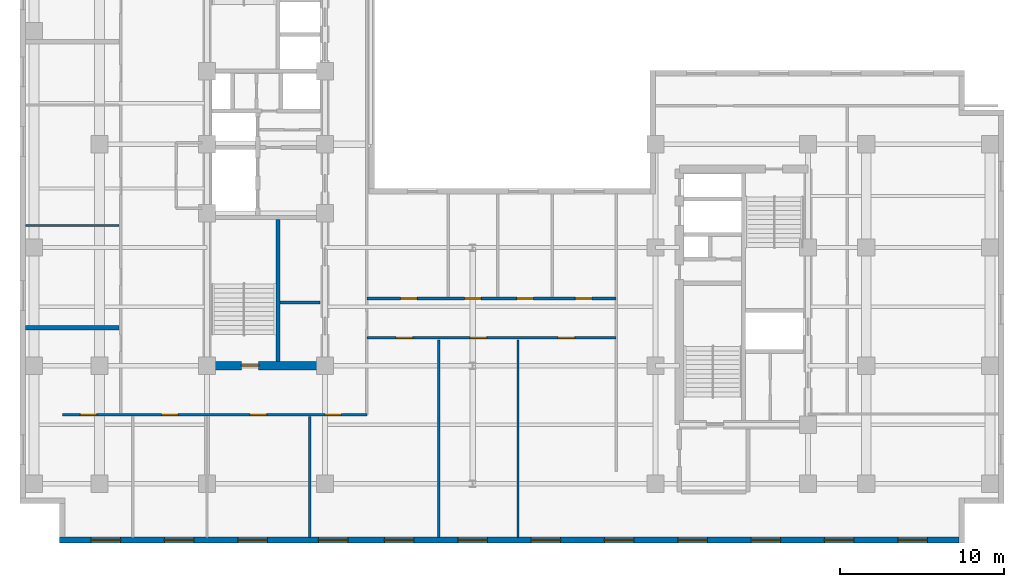
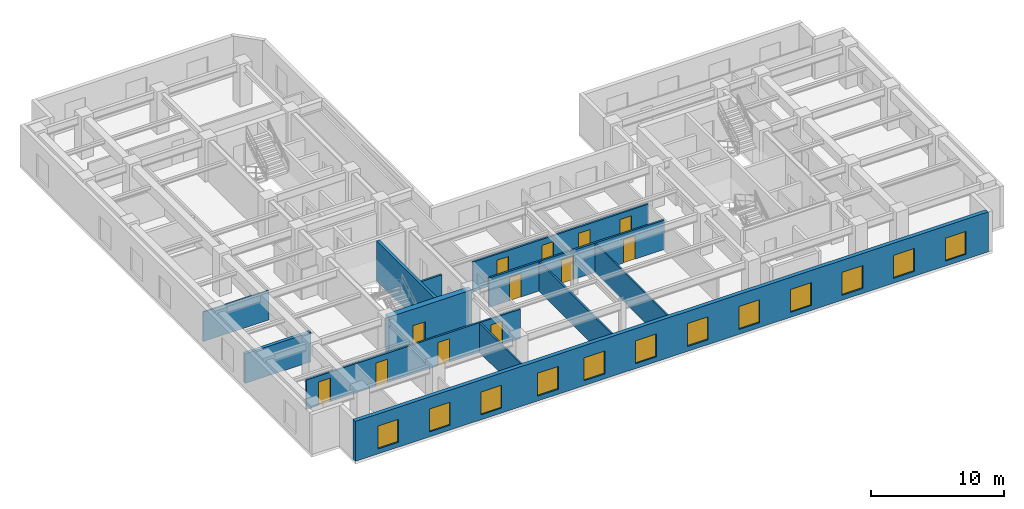
# One storey, part 3 of 10: 12 doors, 12 walls, 12 windows, 24 openings.
"""IFC4 building model written with IfcOpenShell, lengths in metres."""

from ifc_helpers import new_model, entity, si_unit, converted_unit, direction, frame, origin_with_axes, origin_2d_with_axis, place, context, subcontext, project, spatial, polyline, rectangle, outline, extrude, material, layer, layer_set, type_object, element, fill, save


model = new_model("IFC4")

# Units and contexts
model_context = context("Model", 3, precision=1e-05, world=origin_with_axes(), true_north=direction((0.0, 1.0)))
body_context = subcontext(model_context, "Body", "Model", "MODEL_VIEW")
ifc_project = project(units=[si_unit("LENGTHUNIT", "METRE"), si_unit("AREAUNIT", "SQUARE_METRE"), si_unit("VOLUMEUNIT", "CUBIC_METRE"), converted_unit("PLANEANGLEUNIT", "DEGREE", entity("IfcPlaneAngleMeasure", 0.017453292519943295), si_unit("PLANEANGLEUNIT", "RADIAN"), dimensions=[0, 0, 0, 0, 0, 0, 0]), si_unit("MASSUNIT", "GRAM", prefix="KILO"), si_unit("THERMODYNAMICTEMPERATUREUNIT", "KELVIN")], contexts=[model_context])

# Site, building, storey
site_placement = place(None, origin_with_axes())
site = spatial("IfcSite", under=ifc_project, at=site_placement, CompositionType="ELEMENT")
building_placement = place(site_placement, origin_with_axes())
building = spatial("IfcBuilding", under=site, at=building_placement, Name="Varnlund Millrace Tower", CompositionType="ELEMENT")
storey_placement = place(building_placement, frame((0.0, 0.0, 129.0), z_axis=(0.0, 0.0, 1.0), x_axis=(1.0, 0.0, 0.0)))
storey = spatial("IfcBuildingStorey", under=building, at=storey_placement, Name="L31", CompositionType="ELEMENT", Elevation=129.0)

# Wall, opening, door
ifc_material_1 = material(Name="Concrete C70/85", Category="concrete")
ifc_layer_1 = layer(ifc_material_1, 0.5, Name="Concrete C70/85")
ifc_layer_set_1 = layer_set([ifc_layer_1], Name="Concrete C70/85")
wall_type_1 = type_object("IfcWallType", Name="Type-CoreWall-Shear-500-C70", PredefinedType="SHEAR", material=ifc_layer_set_1)
wall_1_placement = place(storey_placement, frame((11.4, 10.8, 0.0), z_axis=(0.0, 0.0, 1.0), x_axis=(1.0, 0.0, 0.0)))
wall_1 = element("IfcWall", 1, at=wall_1_placement, inside=storey, type_object=wall_type_1, Name="Type-CoreWall-Shear-500-C70", PredefinedType="SHEAR", context=body_context, shape_type="SweptSolid", body=[
    extrude(outline(polyline([(0.0, -0.25), (7.2, -0.25), (7.2, 0.25), (0.0, 0.25), (0.0, -0.25)])), origin_with_axes(), (0.0, 0.0, 1.0), 3.66),
])
opening_1_placement = place(wall_1_placement, frame((2.625, 0.0, 0.0), z_axis=(0.0, 0.0, 1.0), x_axis=(1.0, 0.0, 0.0)))
opening_1 = element("IfcOpeningElement", 2, at=opening_1_placement, cuts=wall_1, Name="Opening L31:DR-STA1", PredefinedType="OPENING", context=body_context, shape_type="SweptSolid", body=[
    extrude(rectangle(XDim=1.05, YDim=0.52, at=origin_2d_with_axis()), origin_with_axes(), (0.0, 0.0, 1.0), 2.15),
])
ifc_material_2 = material(Name="Fire-rated hollow steel door", Category="steel")
door_type_1 = type_object("IfcDoorType", Name="Type-FireDoor-Stair-1050X2150", OperationType="NOTDEFINED", PredefinedType="DOOR", material=ifc_material_2)
door_1_placement = place(wall_1_placement, frame((2.625, 0.0, 0.0), z_axis=(0.0, 0.0, 1.0), x_axis=(1.0, 0.0, 0.0)))
door_1 = element("IfcDoor", 3, at=door_1_placement, inside=storey, type_object=door_type_1, Name="Type-FireDoor-Stair-1050X2150", OperationType="SINGLE_SWING_LEFT", OverallHeight=2.15, OverallWidth=1.05, PredefinedType="DOOR", context=body_context, shape_type="SweptSolid", body=[
    extrude(rectangle(XDim=1.05, YDim=0.09, at=origin_2d_with_axis()), origin_with_axes(), (0.0, 0.0, 1.0), 2.15),
])
fill(opening_1, door_1)

# Wall, openings, windows
ifc_material_3 = material(Name="Precast concrete C50/60", Category="concrete")
ifc_layer_2 = layer(ifc_material_3, 0.34, Name="Precast concrete C50/60")
ifc_layer_set_2 = layer_set([ifc_layer_2], Name="Precast concrete C50/60")
wall_type_2 = type_object("IfcWallType", Name="Type-ExtWall-Precast-Upper-340", PredefinedType="SOLIDWALL", material=ifc_layer_set_2)
wall_2_placement = place(storey_placement, frame((57.26, 0.17, 0.0), z_axis=(0.0, 0.0, 1.0), x_axis=(-1.0, 0.0, 0.0)))
wall_2 = element("IfcWall", 4, at=wall_2_placement, inside=storey, type_object=wall_type_2, Name="Type-ExtWall-Precast-Upper-340", PredefinedType="SOLIDWALL", context=body_context, shape_type="SweptSolid", body=[
    extrude(outline(polyline([(0.0, -0.17), (54.86, -0.17), (54.86, 0.17), (0.0, 0.17), (0.0, -0.17)])), origin_with_axes(), (0.0, 0.0, 1.0), 3.66),
])
opening_2_placement = place(wall_2_placement, frame((2.836, 0.0, 0.45), z_axis=(0.0, 0.0, 1.0), x_axis=(1.0, 0.0, 0.0)))
opening_2 = element("IfcOpeningElement", 5, at=opening_2_placement, cuts=wall_2, Name="Opening L31:WN-08", PredefinedType="OPENING", context=body_context, shape_type="SweptSolid", body=[
    extrude(rectangle(XDim=1.8, YDim=0.36, at=origin_2d_with_axis()), origin_with_axes(), (0.0, 0.0, 1.0), 2.1),
])
opening_3_placement = place(wall_2_placement, frame((7.307, 0.0, 0.45), z_axis=(0.0, 0.0, 1.0), x_axis=(1.0, 0.0, 0.0)))
opening_3 = element("IfcOpeningElement", 6, at=opening_3_placement, cuts=wall_2, Name="Opening L31:WN-09", PredefinedType="OPENING", context=body_context, shape_type="SweptSolid", body=[
    extrude(rectangle(XDim=1.8, YDim=0.36, at=origin_2d_with_axis()), origin_with_axes(), (0.0, 0.0, 1.0), 2.1),
])
opening_4_placement = place(wall_2_placement, frame((11.779, 0.0, 0.45), z_axis=(0.0, 0.0, 1.0), x_axis=(1.0, 0.0, 0.0)))
opening_4 = element("IfcOpeningElement", 7, at=opening_4_placement, cuts=wall_2, Name="Opening L31:WN-10", PredefinedType="OPENING", context=body_context, shape_type="SweptSolid", body=[
    extrude(rectangle(XDim=1.8, YDim=0.36, at=origin_2d_with_axis()), origin_with_axes(), (0.0, 0.0, 1.0), 2.1),
])
opening_5_placement = place(wall_2_placement, frame((16.251, 0.0, 0.45), z_axis=(0.0, 0.0, 1.0), x_axis=(1.0, 0.0, 0.0)))
opening_5 = element("IfcOpeningElement", 8, at=opening_5_placement, cuts=wall_2, Name="Opening L31:WN-11", PredefinedType="OPENING", context=body_context, shape_type="SweptSolid", body=[
    extrude(rectangle(XDim=1.8, YDim=0.36, at=origin_2d_with_axis()), origin_with_axes(), (0.0, 0.0, 1.0), 2.1),
])
opening_6_placement = place(wall_2_placement, frame((20.723, 0.0, 0.45), z_axis=(0.0, 0.0, 1.0), x_axis=(1.0, 0.0, 0.0)))
opening_6 = element("IfcOpeningElement", 9, at=opening_6_placement, cuts=wall_2, Name="Opening L31:WN-12", PredefinedType="OPENING", context=body_context, shape_type="SweptSolid", body=[
    extrude(rectangle(XDim=1.8, YDim=0.36, at=origin_2d_with_axis()), origin_with_axes(), (0.0, 0.0, 1.0), 2.1),
])
opening_7_placement = place(wall_2_placement, frame((25.194, 0.0, 0.45), z_axis=(0.0, 0.0, 1.0), x_axis=(1.0, 0.0, 0.0)))
opening_7 = element("IfcOpeningElement", 10, at=opening_7_placement, cuts=wall_2, Name="Opening L31:WN-13", PredefinedType="OPENING", context=body_context, shape_type="SweptSolid", body=[
    extrude(rectangle(XDim=1.8, YDim=0.36, at=origin_2d_with_axis()), origin_with_axes(), (0.0, 0.0, 1.0), 2.1),
])
opening_8_placement = place(wall_2_placement, frame((29.666, 0.0, 0.45), z_axis=(0.0, 0.0, 1.0), x_axis=(1.0, 0.0, 0.0)))
opening_8 = element("IfcOpeningElement", 11, at=opening_8_placement, cuts=wall_2, Name="Opening L31:WN-14", PredefinedType="OPENING", context=body_context, shape_type="SweptSolid", body=[
    extrude(rectangle(XDim=1.8, YDim=0.36, at=origin_2d_with_axis()), origin_with_axes(), (0.0, 0.0, 1.0), 2.1),
])
opening_9_placement = place(wall_2_placement, frame((34.138, 0.0, 0.45), z_axis=(0.0, 0.0, 1.0), x_axis=(1.0, 0.0, 0.0)))
opening_9 = element("IfcOpeningElement", 12, at=opening_9_placement, cuts=wall_2, Name="Opening L31:WN-15", PredefinedType="OPENING", context=body_context, shape_type="SweptSolid", body=[
    extrude(rectangle(XDim=1.8, YDim=0.36, at=origin_2d_with_axis()), origin_with_axes(), (0.0, 0.0, 1.0), 2.1),
])
opening_10_placement = place(wall_2_placement, frame((38.159, 0.0, 0.45), z_axis=(0.0, 0.0, 1.0), x_axis=(1.0, 0.0, 0.0)))
opening_10 = element("IfcOpeningElement", 13, at=opening_10_placement, cuts=wall_2, Name="Opening L31:WN-16", PredefinedType="OPENING", context=body_context, shape_type="SweptSolid", body=[
    extrude(rectangle(XDim=1.8, YDim=0.36, at=origin_2d_with_axis()), origin_with_axes(), (0.0, 0.0, 1.0), 2.1),
])
opening_11_placement = place(wall_2_placement, frame((43.081, 0.0, 0.45), z_axis=(0.0, 0.0, 1.0), x_axis=(1.0, 0.0, 0.0)))
opening_11 = element("IfcOpeningElement", 14, at=opening_11_placement, cuts=wall_2, Name="Opening L31:WN-17", PredefinedType="OPENING", context=body_context, shape_type="SweptSolid", body=[
    extrude(rectangle(XDim=1.8, YDim=0.36, at=origin_2d_with_axis()), origin_with_axes(), (0.0, 0.0, 1.0), 2.1),
])
opening_12_placement = place(wall_2_placement, frame((47.553, 0.0, 0.45), z_axis=(0.0, 0.0, 1.0), x_axis=(1.0, 0.0, 0.0)))
opening_12 = element("IfcOpeningElement", 15, at=opening_12_placement, cuts=wall_2, Name="Opening L31:WN-18", PredefinedType="OPENING", context=body_context, shape_type="SweptSolid", body=[
    extrude(rectangle(XDim=1.8, YDim=0.36, at=origin_2d_with_axis()), origin_with_axes(), (0.0, 0.0, 1.0), 2.1),
])
opening_13_placement = place(wall_2_placement, frame((52.024, 0.0, 0.45), z_axis=(0.0, 0.0, 1.0), x_axis=(1.0, 0.0, 0.0)))
opening_13 = element("IfcOpeningElement", 16, at=opening_13_placement, cuts=wall_2, Name="Opening L31:WN-19", PredefinedType="OPENING", context=body_context, shape_type="SweptSolid", body=[
    extrude(rectangle(XDim=1.8, YDim=0.36, at=origin_2d_with_axis()), origin_with_axes(), (0.0, 0.0, 1.0), 2.1),
])
ifc_material_4 = material(Name="Argon low-e triple glazing in thermally broken bronze frame", Category="glass")
window_type = type_object("IfcWindowType", Name="Type-Window-Punched-1800X2100", PartitioningType="SINGLE_PANEL", PredefinedType="WINDOW", material=ifc_material_4)
window_1_placement = place(wall_2_placement, frame((2.836, 0.0, 0.45), z_axis=(0.0, 0.0, 1.0), x_axis=(1.0, 0.0, 0.0)))
window_1 = element("IfcWindow", 17, at=window_1_placement, inside=storey, type_object=window_type, Name="Type-Window-Punched-1800X2100", OverallHeight=2.1, OverallWidth=1.8, PredefinedType="WINDOW", context=body_context, shape_type="SweptSolid", body=[
    extrude(rectangle(XDim=1.8, YDim=0.09, at=origin_2d_with_axis()), origin_with_axes(), (0.0, 0.0, 1.0), 2.1),
])
fill(opening_2, window_1)
window_2_placement = place(wall_2_placement, frame((7.307, 0.0, 0.45), z_axis=(0.0, 0.0, 1.0), x_axis=(1.0, 0.0, 0.0)))
window_2 = element("IfcWindow", 18, at=window_2_placement, inside=storey, type_object=window_type, Name="Type-Window-Punched-1800X2100", OverallHeight=2.1, OverallWidth=1.8, PredefinedType="WINDOW", context=body_context, shape_type="SweptSolid", body=[
    extrude(rectangle(XDim=1.8, YDim=0.09, at=origin_2d_with_axis()), origin_with_axes(), (0.0, 0.0, 1.0), 2.1),
])
fill(opening_3, window_2)
window_3_placement = place(wall_2_placement, frame((11.779, 0.0, 0.45), z_axis=(0.0, 0.0, 1.0), x_axis=(1.0, 0.0, 0.0)))
window_3 = element("IfcWindow", 19, at=window_3_placement, inside=storey, type_object=window_type, Name="Type-Window-Punched-1800X2100", OverallHeight=2.1, OverallWidth=1.8, PredefinedType="WINDOW", context=body_context, shape_type="SweptSolid", body=[
    extrude(rectangle(XDim=1.8, YDim=0.09, at=origin_2d_with_axis()), origin_with_axes(), (0.0, 0.0, 1.0), 2.1),
])
fill(opening_4, window_3)
window_4_placement = place(wall_2_placement, frame((16.251, 0.0, 0.45), z_axis=(0.0, 0.0, 1.0), x_axis=(1.0, 0.0, 0.0)))
window_4 = element("IfcWindow", 20, at=window_4_placement, inside=storey, type_object=window_type, Name="Type-Window-Punched-1800X2100", OverallHeight=2.1, OverallWidth=1.8, PredefinedType="WINDOW", context=body_context, shape_type="SweptSolid", body=[
    extrude(rectangle(XDim=1.8, YDim=0.09, at=origin_2d_with_axis()), origin_with_axes(), (0.0, 0.0, 1.0), 2.1),
])
fill(opening_5, window_4)
window_5_placement = place(wall_2_placement, frame((20.723, 0.0, 0.45), z_axis=(0.0, 0.0, 1.0), x_axis=(1.0, 0.0, 0.0)))
window_5 = element("IfcWindow", 21, at=window_5_placement, inside=storey, type_object=window_type, Name="Type-Window-Punched-1800X2100", OverallHeight=2.1, OverallWidth=1.8, PredefinedType="WINDOW", context=body_context, shape_type="SweptSolid", body=[
    extrude(rectangle(XDim=1.8, YDim=0.09, at=origin_2d_with_axis()), origin_with_axes(), (0.0, 0.0, 1.0), 2.1),
])
fill(opening_6, window_5)
window_6_placement = place(wall_2_placement, frame((25.194, 0.0, 0.45), z_axis=(0.0, 0.0, 1.0), x_axis=(1.0, 0.0, 0.0)))
window_6 = element("IfcWindow", 22, at=window_6_placement, inside=storey, type_object=window_type, Name="Type-Window-Punched-1800X2100", OverallHeight=2.1, OverallWidth=1.8, PredefinedType="WINDOW", context=body_context, shape_type="SweptSolid", body=[
    extrude(rectangle(XDim=1.8, YDim=0.09, at=origin_2d_with_axis()), origin_with_axes(), (0.0, 0.0, 1.0), 2.1),
])
fill(opening_7, window_6)
window_7_placement = place(wall_2_placement, frame((29.666, 0.0, 0.45), z_axis=(0.0, 0.0, 1.0), x_axis=(1.0, 0.0, 0.0)))
window_7 = element("IfcWindow", 23, at=window_7_placement, inside=storey, type_object=window_type, Name="Type-Window-Punched-1800X2100", OverallHeight=2.1, OverallWidth=1.8, PredefinedType="WINDOW", context=body_context, shape_type="SweptSolid", body=[
    extrude(rectangle(XDim=1.8, YDim=0.09, at=origin_2d_with_axis()), origin_with_axes(), (0.0, 0.0, 1.0), 2.1),
])
fill(opening_8, window_7)
window_8_placement = place(wall_2_placement, frame((34.138, 0.0, 0.45), z_axis=(0.0, 0.0, 1.0), x_axis=(1.0, 0.0, 0.0)))
window_8 = element("IfcWindow", 24, at=window_8_placement, inside=storey, type_object=window_type, Name="Type-Window-Punched-1800X2100", OverallHeight=2.1, OverallWidth=1.8, PredefinedType="WINDOW", context=body_context, shape_type="SweptSolid", body=[
    extrude(rectangle(XDim=1.8, YDim=0.09, at=origin_2d_with_axis()), origin_with_axes(), (0.0, 0.0, 1.0), 2.1),
])
fill(opening_9, window_8)
window_9_placement = place(wall_2_placement, frame((38.159, 0.0, 0.45), z_axis=(0.0, 0.0, 1.0), x_axis=(1.0, 0.0, 0.0)))
window_9 = element("IfcWindow", 25, at=window_9_placement, inside=storey, type_object=window_type, Name="Type-Window-Punched-1800X2100", OverallHeight=2.1, OverallWidth=1.8, PredefinedType="WINDOW", context=body_context, shape_type="SweptSolid", body=[
    extrude(rectangle(XDim=1.8, YDim=0.09, at=origin_2d_with_axis()), origin_with_axes(), (0.0, 0.0, 1.0), 2.1),
])
fill(opening_10, window_9)
window_10_placement = place(wall_2_placement, frame((43.081, 0.0, 0.45), z_axis=(0.0, 0.0, 1.0), x_axis=(1.0, 0.0, 0.0)))
window_10 = element("IfcWindow", 26, at=window_10_placement, inside=storey, type_object=window_type, Name="Type-Window-Punched-1800X2100", OverallHeight=2.1, OverallWidth=1.8, PredefinedType="WINDOW", context=body_context, shape_type="SweptSolid", body=[
    extrude(rectangle(XDim=1.8, YDim=0.09, at=origin_2d_with_axis()), origin_with_axes(), (0.0, 0.0, 1.0), 2.1),
])
fill(opening_11, window_10)
window_11_placement = place(wall_2_placement, frame((47.553, 0.0, 0.45), z_axis=(0.0, 0.0, 1.0), x_axis=(1.0, 0.0, 0.0)))
window_11 = element("IfcWindow", 27, at=window_11_placement, inside=storey, type_object=window_type, Name="Type-Window-Punched-1800X2100", OverallHeight=2.1, OverallWidth=1.8, PredefinedType="WINDOW", context=body_context, shape_type="SweptSolid", body=[
    extrude(rectangle(XDim=1.8, YDim=0.09, at=origin_2d_with_axis()), origin_with_axes(), (0.0, 0.0, 1.0), 2.1),
])
fill(opening_12, window_11)
window_12_placement = place(wall_2_placement, frame((52.024, 0.0, 0.45), z_axis=(0.0, 0.0, 1.0), x_axis=(1.0, 0.0, 0.0)))
window_12 = element("IfcWindow", 28, at=window_12_placement, inside=storey, type_object=window_type, Name="Type-Window-Punched-1800X2100", OverallHeight=2.1, OverallWidth=1.8, PredefinedType="WINDOW", context=body_context, shape_type="SweptSolid", body=[
    extrude(rectangle(XDim=1.8, YDim=0.09, at=origin_2d_with_axis()), origin_with_axes(), (0.0, 0.0, 1.0), 2.1),
])
fill(opening_13, window_12)

# Walls
ifc_material_5 = material(Name="Double-stud STC-60 conference acoustic partition", Category="gypsum")
ifc_layer_3 = layer(ifc_material_5, 0.28, Name="Double-stud STC-60 conference acoustic partition")
ifc_layer_set_3 = layer_set([ifc_layer_3], Name="Double-stud STC-60 conference acoustic partition")
wall_type_3 = type_object("IfcWallType", Name="Type-Partition-Acoustic-280", PredefinedType="PARTITIONING", material=ifc_layer_set_3)
wall_3_placement = place(storey_placement, frame((0.335, 13.107, 0.0), z_axis=(0.0, 0.0, 1.0), x_axis=(1.0, 0.0, 0.0)))
element("IfcWall", 29, at=wall_3_placement, inside=storey, type_object=wall_type_3, Name="Type-Partition-Acoustic-280", PredefinedType="PARTITIONING", context=body_context, shape_type="SweptSolid", body=[
    extrude(outline(polyline([(0.0, -0.14), (5.695, -0.14), (5.695, 0.14), (0.0, 0.14), (0.0, -0.14)])), origin_with_axes(), (0.0, 0.0, 1.0), 2.7),
])
ifc_material_6 = material(Name="Fire-rated gypsum board on cold-formed steel framing", Category="steel")
ifc_layer_4 = layer(ifc_material_6, 0.16, Name="Fire-rated gypsum board on cold-formed steel framing")
ifc_layer_set_4 = layer_set([ifc_layer_4], Name="Fire-rated gypsum board on cold-formed steel framing")
wall_type_4 = type_object("IfcWallType", Name="Type-Partition-Corridor-160", PredefinedType="PARTITIONING", material=ifc_layer_set_4)
wall_4_placement = place(storey_placement, frame((15.84, 14.65, 0.0), z_axis=(0.0, 0.0, 1.0), x_axis=(1.0, 0.0, 0.0)))
element("IfcWall", 30, at=wall_4_placement, inside=storey, type_object=wall_type_4, Name="Type-Partition-Corridor-160", PredefinedType="PARTITIONING", context=body_context, shape_type="SweptSolid", body=[
    extrude(outline(polyline([(0.0, -0.08), (2.46, -0.08), (2.46, 0.08), (0.0, 0.08), (0.0, -0.08)])), origin_with_axes(), (0.0, 0.0, 1.0), 2.7),
])

# Wall, openings, doors
wall_5_placement = place(storey_placement, frame((2.6, 7.8, 0.0), z_axis=(0.0, 0.0, 1.0), x_axis=(1.0, 0.0, 0.0)))
wall_5 = element("IfcWall", 31, at=wall_5_placement, inside=storey, type_object=wall_type_4, Name="Type-Partition-Corridor-160", PredefinedType="PARTITIONING", context=body_context, shape_type="SweptSolid", body=[
    extrude(outline(polyline([(0.0, -0.08), (18.55, -0.08), (18.55, 0.08), (0.0, 0.08), (0.0, -0.08)])), origin_with_axes(), (0.0, 0.0, 1.0), 2.7),
])
opening_14_placement = place(wall_5_placement, frame((1.577, 0.0, 0.0), z_axis=(0.0, 0.0, 1.0), x_axis=(1.0, 0.0, 0.0)))
opening_14 = element("IfcOpeningElement", 32, at=opening_14_placement, cuts=wall_5, Name="Opening L31:DR-WAS-01", PredefinedType="OPENING", context=body_context, shape_type="SweptSolid", body=[
    extrude(rectangle(XDim=1.0, YDim=0.18, at=origin_2d_with_axis()), origin_with_axes(), (0.0, 0.0, 1.0), 2.15),
])
opening_15_placement = place(wall_5_placement, frame((6.542, 0.0, 0.0), z_axis=(0.0, 0.0, 1.0), x_axis=(1.0, 0.0, 0.0)))
opening_15 = element("IfcOpeningElement", 33, at=opening_15_placement, cuts=wall_5, Name="Opening L31:DR-WAS-02", PredefinedType="OPENING", context=body_context, shape_type="SweptSolid", body=[
    extrude(rectangle(XDim=1.0, YDim=0.18, at=origin_2d_with_axis()), origin_with_axes(), (0.0, 0.0, 1.0), 2.15),
])
opening_16_placement = place(wall_5_placement, frame((11.9315, 0.0, 0.0), z_axis=(0.0, 0.0, 1.0), x_axis=(1.0, 0.0, 0.0)))
opening_16 = element("IfcOpeningElement", 34, at=opening_16_placement, cuts=wall_5, Name="Opening L31:DR-WAS-03", PredefinedType="OPENING", context=body_context, shape_type="SweptSolid", body=[
    extrude(rectangle(XDim=1.0, YDim=0.18, at=origin_2d_with_axis()), origin_with_axes(), (0.0, 0.0, 1.0), 2.15),
])
opening_17_placement = place(wall_5_placement, frame((16.502, 0.0, 0.0), z_axis=(0.0, 0.0, 1.0), x_axis=(1.0, 0.0, 0.0)))
opening_17 = element("IfcOpeningElement", 35, at=opening_17_placement, cuts=wall_5, Name="Opening L31:DR-WAS-04", PredefinedType="OPENING", context=body_context, shape_type="SweptSolid", body=[
    extrude(rectangle(XDim=1.0, YDim=0.18, at=origin_2d_with_axis()), origin_with_axes(), (0.0, 0.0, 1.0), 2.15),
])
ifc_material_7 = material(Name="Solid-core white oak and bronze frame door")
door_type_2 = type_object("IfcDoorType", Name="Type-IntDoor-Office-1000X2150", OperationType="NOTDEFINED", PredefinedType="DOOR", material=ifc_material_7)
door_2_placement = place(wall_5_placement, frame((1.577, 0.0, 0.0), z_axis=(0.0, 0.0, 1.0), x_axis=(1.0, 0.0, 0.0)))
door_2 = element("IfcDoor", 36, at=door_2_placement, inside=storey, type_object=door_type_2, Name="Type-IntDoor-Office-1000X2150", OperationType="SINGLE_SWING_LEFT", OverallHeight=2.15, OverallWidth=1.0, PredefinedType="DOOR", context=body_context, shape_type="SweptSolid", body=[
    extrude(rectangle(XDim=1.0, YDim=0.09, at=origin_2d_with_axis()), origin_with_axes(), (0.0, 0.0, 1.0), 2.15),
])
fill(opening_14, door_2)
door_3_placement = place(wall_5_placement, frame((6.542, 0.0, 0.0), z_axis=(0.0, 0.0, 1.0), x_axis=(1.0, 0.0, 0.0)))
door_3 = element("IfcDoor", 37, at=door_3_placement, inside=storey, type_object=door_type_2, Name="Type-IntDoor-Office-1000X2150", OperationType="SINGLE_SWING_RIGHT", OverallHeight=2.15, OverallWidth=1.0, PredefinedType="DOOR", context=body_context, shape_type="SweptSolid", body=[
    extrude(rectangle(XDim=1.0, YDim=0.09, at=origin_2d_with_axis()), origin_with_axes(), (0.0, 0.0, 1.0), 2.15),
])
fill(opening_15, door_3)
door_4_placement = place(wall_5_placement, frame((11.9315, 0.0, 0.0), z_axis=(0.0, 0.0, 1.0), x_axis=(1.0, 0.0, 0.0)))
door_4 = element("IfcDoor", 38, at=door_4_placement, inside=storey, type_object=door_type_2, Name="Type-IntDoor-Office-1000X2150", OperationType="SINGLE_SWING_LEFT", OverallHeight=2.15, OverallWidth=1.0, PredefinedType="DOOR", context=body_context, shape_type="SweptSolid", body=[
    extrude(rectangle(XDim=1.0, YDim=0.09, at=origin_2d_with_axis()), origin_with_axes(), (0.0, 0.0, 1.0), 2.15),
])
fill(opening_16, door_4)
door_5_placement = place(wall_5_placement, frame((16.502, 0.0, 0.0), z_axis=(0.0, 0.0, 1.0), x_axis=(1.0, 0.0, 0.0)))
door_5 = element("IfcDoor", 39, at=door_5_placement, inside=storey, type_object=door_type_2, Name="Type-IntDoor-Office-1000X2150", OperationType="SINGLE_SWING_RIGHT", OverallHeight=2.15, OverallWidth=1.0, PredefinedType="DOOR", context=body_context, shape_type="SweptSolid", body=[
    extrude(rectangle(XDim=1.0, YDim=0.09, at=origin_2d_with_axis()), origin_with_axes(), (0.0, 0.0, 1.0), 2.15),
])
fill(opening_17, door_5)

wall_6_placement = place(storey_placement, frame((21.15, 12.5, 0.0), z_axis=(0.0, 0.0, 1.0), x_axis=(1.0, 0.0, 0.0)))
wall_6 = element("IfcWall", 40, at=wall_6_placement, inside=storey, type_object=wall_type_4, Name="Type-Partition-Corridor-160", PredefinedType="PARTITIONING", context=body_context, shape_type="SweptSolid", body=[
    extrude(outline(polyline([(0.0, -0.08), (15.2, -0.08), (15.2, 0.08), (0.0, 0.08), (0.0, -0.08)])), origin_with_axes(), (0.0, 0.0, 1.0), 2.7),
])
opening_18_placement = place(wall_6_placement, frame((2.283, 0.0, 0.0), z_axis=(0.0, 0.0, 1.0), x_axis=(1.0, 0.0, 0.0)))
opening_18 = element("IfcOpeningElement", 41, at=opening_18_placement, cuts=wall_6, Name="Opening L31:DR-KNS-01", PredefinedType="OPENING", context=body_context, shape_type="SweptSolid", body=[
    extrude(rectangle(XDim=1.0, YDim=0.18, at=origin_2d_with_axis()), origin_with_axes(), (0.0, 0.0, 1.0), 2.15),
])
opening_19_placement = place(wall_6_placement, frame((6.8005, 0.0, 0.0), z_axis=(0.0, 0.0, 1.0), x_axis=(1.0, 0.0, 0.0)))
opening_19 = element("IfcOpeningElement", 42, at=opening_19_placement, cuts=wall_6, Name="Opening L31:DR-KNS-02", PredefinedType="OPENING", context=body_context, shape_type="SweptSolid", body=[
    extrude(rectangle(XDim=1.0, YDim=0.18, at=origin_2d_with_axis()), origin_with_axes(), (0.0, 0.0, 1.0), 2.15),
])
opening_20_placement = place(wall_6_placement, frame((12.1675, 0.0, 0.0), z_axis=(0.0, 0.0, 1.0), x_axis=(1.0, 0.0, 0.0)))
opening_20 = element("IfcOpeningElement", 43, at=opening_20_placement, cuts=wall_6, Name="Opening L31:DR-KNS-03", PredefinedType="OPENING", context=body_context, shape_type="SweptSolid", body=[
    extrude(rectangle(XDim=1.0, YDim=0.18, at=origin_2d_with_axis()), origin_with_axes(), (0.0, 0.0, 1.0), 2.15),
])
door_6_placement = place(wall_6_placement, frame((2.283, 0.0, 0.0), z_axis=(0.0, 0.0, 1.0), x_axis=(1.0, 0.0, 0.0)))
door_6 = element("IfcDoor", 44, at=door_6_placement, inside=storey, type_object=door_type_2, Name="Type-IntDoor-Office-1000X2150", OperationType="SINGLE_SWING_LEFT", OverallHeight=2.15, OverallWidth=1.0, PredefinedType="DOOR", context=body_context, shape_type="SweptSolid", body=[
    extrude(rectangle(XDim=1.0, YDim=0.09, at=origin_2d_with_axis()), origin_with_axes(), (0.0, 0.0, 1.0), 2.15),
])
fill(opening_18, door_6)
door_7_placement = place(wall_6_placement, frame((6.8005, 0.0, 0.0), z_axis=(0.0, 0.0, 1.0), x_axis=(1.0, 0.0, 0.0)))
door_7 = element("IfcDoor", 45, at=door_7_placement, inside=storey, type_object=door_type_2, Name="Type-IntDoor-Office-1000X2150", OperationType="SINGLE_SWING_RIGHT", OverallHeight=2.15, OverallWidth=1.0, PredefinedType="DOOR", context=body_context, shape_type="SweptSolid", body=[
    extrude(rectangle(XDim=1.0, YDim=0.09, at=origin_2d_with_axis()), origin_with_axes(), (0.0, 0.0, 1.0), 2.15),
])
fill(opening_19, door_7)
door_8_placement = place(wall_6_placement, frame((12.1675, 0.0, 0.0), z_axis=(0.0, 0.0, 1.0), x_axis=(1.0, 0.0, 0.0)))
door_8 = element("IfcDoor", 46, at=door_8_placement, inside=storey, type_object=door_type_2, Name="Type-IntDoor-Office-1000X2150", OperationType="SINGLE_SWING_LEFT", OverallHeight=2.15, OverallWidth=1.0, PredefinedType="DOOR", context=body_context, shape_type="SweptSolid", body=[
    extrude(rectangle(XDim=1.0, YDim=0.09, at=origin_2d_with_axis()), origin_with_axes(), (0.0, 0.0, 1.0), 2.15),
])
fill(opening_20, door_8)

wall_7_placement = place(storey_placement, frame((21.15, 14.9, 0.0), z_axis=(0.0, 0.0, 1.0), x_axis=(1.0, 0.0, 0.0)))
wall_7 = element("IfcWall", 47, at=wall_7_placement, inside=storey, type_object=wall_type_4, Name="Type-Partition-Corridor-160", PredefinedType="PARTITIONING", context=body_context, shape_type="SweptSolid", body=[
    extrude(outline(polyline([(0.0, -0.08), (15.2, -0.08), (15.2, 0.08), (0.0, 0.08), (0.0, -0.08)])), origin_with_axes(), (0.0, 0.0, 1.0), 2.7),
])
opening_21_placement = place(wall_7_placement, frame((2.5645, 0.0, 0.0), z_axis=(0.0, 0.0, 1.0), x_axis=(1.0, 0.0, 0.0)))
opening_21 = element("IfcOpeningElement", 48, at=opening_21_placement, cuts=wall_7, Name="Opening L31:DR-KN-01", PredefinedType="OPENING", context=body_context, shape_type="SweptSolid", body=[
    extrude(rectangle(XDim=1.0, YDim=0.18, at=origin_2d_with_axis()), origin_with_axes(), (0.0, 0.0, 1.0), 2.15),
])
opening_22_placement = place(wall_7_placement, frame((6.4655, 0.0, 0.0), z_axis=(0.0, 0.0, 1.0), x_axis=(1.0, 0.0, 0.0)))
opening_22 = element("IfcOpeningElement", 49, at=opening_22_placement, cuts=wall_7, Name="Opening L31:DR-KN-02", PredefinedType="OPENING", context=body_context, shape_type="SweptSolid", body=[
    extrude(rectangle(XDim=1.0, YDim=0.18, at=origin_2d_with_axis()), origin_with_axes(), (0.0, 0.0, 1.0), 2.15),
])
opening_23_placement = place(wall_7_placement, frame((9.65, 0.0, 0.0), z_axis=(0.0, 0.0, 1.0), x_axis=(1.0, 0.0, 0.0)))
opening_23 = element("IfcOpeningElement", 50, at=opening_23_placement, cuts=wall_7, Name="Opening L31:DR-KN-03", PredefinedType="OPENING", context=body_context, shape_type="SweptSolid", body=[
    extrude(rectangle(XDim=1.0, YDim=0.18, at=origin_2d_with_axis()), origin_with_axes(), (0.0, 0.0, 1.0), 2.15),
])
opening_24_placement = place(wall_7_placement, frame((13.219, 0.0, 0.0), z_axis=(0.0, 0.0, 1.0), x_axis=(1.0, 0.0, 0.0)))
opening_24 = element("IfcOpeningElement", 51, at=opening_24_placement, cuts=wall_7, Name="Opening L31:DR-KN-04", PredefinedType="OPENING", context=body_context, shape_type="SweptSolid", body=[
    extrude(rectangle(XDim=1.0, YDim=0.18, at=origin_2d_with_axis()), origin_with_axes(), (0.0, 0.0, 1.0), 2.15),
])
door_9_placement = place(wall_7_placement, frame((2.5645, 0.0, 0.0), z_axis=(0.0, 0.0, 1.0), x_axis=(1.0, 0.0, 0.0)))
door_9 = element("IfcDoor", 52, at=door_9_placement, inside=storey, type_object=door_type_2, Name="Type-IntDoor-Office-1000X2150", OperationType="SINGLE_SWING_LEFT", OverallHeight=2.15, OverallWidth=1.0, PredefinedType="DOOR", context=body_context, shape_type="SweptSolid", body=[
    extrude(rectangle(XDim=1.0, YDim=0.09, at=origin_2d_with_axis()), origin_with_axes(), (0.0, 0.0, 1.0), 2.15),
])
fill(opening_21, door_9)
door_10_placement = place(wall_7_placement, frame((6.4655, 0.0, 0.0), z_axis=(0.0, 0.0, 1.0), x_axis=(1.0, 0.0, 0.0)))
door_10 = element("IfcDoor", 53, at=door_10_placement, inside=storey, type_object=door_type_2, Name="Type-IntDoor-Office-1000X2150", OperationType="SINGLE_SWING_RIGHT", OverallHeight=2.15, OverallWidth=1.0, PredefinedType="DOOR", context=body_context, shape_type="SweptSolid", body=[
    extrude(rectangle(XDim=1.0, YDim=0.09, at=origin_2d_with_axis()), origin_with_axes(), (0.0, 0.0, 1.0), 2.15),
])
fill(opening_22, door_10)
door_11_placement = place(wall_7_placement, frame((9.65, 0.0, 0.0), z_axis=(0.0, 0.0, 1.0), x_axis=(1.0, 0.0, 0.0)))
door_11 = element("IfcDoor", 54, at=door_11_placement, inside=storey, type_object=door_type_2, Name="Type-IntDoor-Office-1000X2150", OperationType="SINGLE_SWING_LEFT", OverallHeight=2.15, OverallWidth=1.0, PredefinedType="DOOR", context=body_context, shape_type="SweptSolid", body=[
    extrude(rectangle(XDim=1.0, YDim=0.09, at=origin_2d_with_axis()), origin_with_axes(), (0.0, 0.0, 1.0), 2.15),
])
fill(opening_23, door_11)
door_12_placement = place(wall_7_placement, frame((13.219, 0.0, 0.0), z_axis=(0.0, 0.0, 1.0), x_axis=(1.0, 0.0, 0.0)))
door_12 = element("IfcDoor", 55, at=door_12_placement, inside=storey, type_object=door_type_2, Name="Type-IntDoor-Office-1000X2150", OperationType="SINGLE_SWING_RIGHT", OverallHeight=2.15, OverallWidth=1.0, PredefinedType="DOOR", context=body_context, shape_type="SweptSolid", body=[
    extrude(rectangle(XDim=1.0, YDim=0.09, at=origin_2d_with_axis()), origin_with_axes(), (0.0, 0.0, 1.0), 2.15),
])
fill(opening_24, door_12)

# Walls
ifc_material_8 = material(Name="Acoustic STC-50 gypsum board partition", Category="gypsum")
ifc_layer_5 = layer(ifc_material_8, 0.15, Name="Acoustic STC-50 gypsum board partition")
ifc_layer_set_5 = layer_set([ifc_layer_5], Name="Acoustic STC-50 gypsum board partition")
wall_type_5 = type_object("IfcWallType", Name="Type-Partition-Demising-150", PredefinedType="PARTITIONING", material=ifc_layer_set_5)
wall_8_placement = place(storey_placement, frame((17.663, 0.335, 0.0), z_axis=(0.0, 0.0, 1.0), x_axis=(0.0, 1.0, 0.0)))
element("IfcWall", 56, at=wall_8_placement, inside=storey, type_object=wall_type_5, Name="Type-Partition-Demising-150", PredefinedType="PARTITIONING", context=body_context, shape_type="SweptSolid", body=[
    extrude(outline(polyline([(0.0, -0.075), (7.365, -0.075), (7.365, 0.075), (0.0, 0.075), (0.0, -0.075)])), origin_with_axes(), (0.0, 0.0, 1.0), 2.7),
])
wall_9_placement = place(storey_placement, frame((25.536, 0.335, 0.0), z_axis=(0.0, 0.0, 1.0), x_axis=(0.0, 1.0, 0.0)))
element("IfcWall", 57, at=wall_9_placement, inside=storey, type_object=wall_type_5, Name="Type-Partition-Demising-150", PredefinedType="PARTITIONING", context=body_context, shape_type="SweptSolid", body=[
    extrude(outline(polyline([(0.0, -0.075), (12.045, -0.075), (12.045, 0.075), (0.0, 0.075), (0.0, -0.075)])), origin_with_axes(), (0.0, 0.0, 1.0), 2.7),
])
ifc_material_9 = material(Name="Gypsum board tenant partition", Category="gypsum")
ifc_layer_6 = layer(ifc_material_9, 0.125, Name="Gypsum board tenant partition")
ifc_layer_set_6 = layer_set([ifc_layer_6], Name="Gypsum board tenant partition")
wall_type_6 = type_object("IfcWallType", Name="Type-Partition-Tenant-125", PredefinedType="PARTITIONING", material=ifc_layer_set_6)
wall_10_placement = place(storey_placement, frame((0.335, 19.344, 0.0), z_axis=(0.0, 0.0, 1.0), x_axis=(1.0, 0.0, 0.0)))
element("IfcWall", 58, at=wall_10_placement, inside=storey, type_object=wall_type_6, Name="Type-Partition-Tenant-125", PredefinedType="PARTITIONING", context=body_context, shape_type="SweptSolid", body=[
    extrude(outline(polyline([(0.0, -0.0625), (5.695, -0.0625), (5.695, 0.0625), (0.0, 0.0625), (0.0, -0.0625)])), origin_with_axes(), (0.0, 0.0, 1.0), 2.7),
])
wall_11_placement = place(storey_placement, frame((30.365, 0.335, 0.0), z_axis=(0.0, 0.0, 1.0), x_axis=(0.0, 1.0, 0.0)))
element("IfcWall", 59, at=wall_11_placement, inside=storey, type_object=wall_type_6, Name="Type-Partition-Tenant-125", PredefinedType="PARTITIONING", context=body_context, shape_type="SweptSolid", body=[
    extrude(outline(polyline([(0.0, -0.0625), (12.045, -0.0625), (12.045, 0.0625), (0.0, 0.0625), (0.0, -0.0625)])), origin_with_axes(), (0.0, 0.0, 1.0), 2.7),
])
ifc_material_10 = material(Name="Concrete C60/75", Category="concrete")
ifc_layer_7 = layer(ifc_material_10, 0.25, Name="Concrete C60/75")
ifc_layer_set_7 = layer_set([ifc_layer_7], Name="Concrete C60/75")
wall_type_7 = type_object("IfcWallType", Name="Type-StairWall-Shear-250", PredefinedType="SHEAR", material=ifc_layer_set_7)
wall_12_placement = place(storey_placement, frame((15.725, 11.05, 0.0), z_axis=(0.0, 0.0, 1.0), x_axis=(0.0, 1.0, 0.0)))
element("IfcWall", 60, at=wall_12_placement, inside=storey, type_object=wall_type_7, Name="Type-StairWall-Shear-250", PredefinedType="SHEAR", context=body_context, shape_type="SweptSolid", body=[
    extrude(outline(polyline([(0.0, -0.125), (8.65, -0.125), (8.65, 0.125), (0.0, 0.125), (0.0, -0.125)])), origin_with_axes(), (0.0, 0.0, 1.0), 3.66),
])

save(model, "model.ifc")
